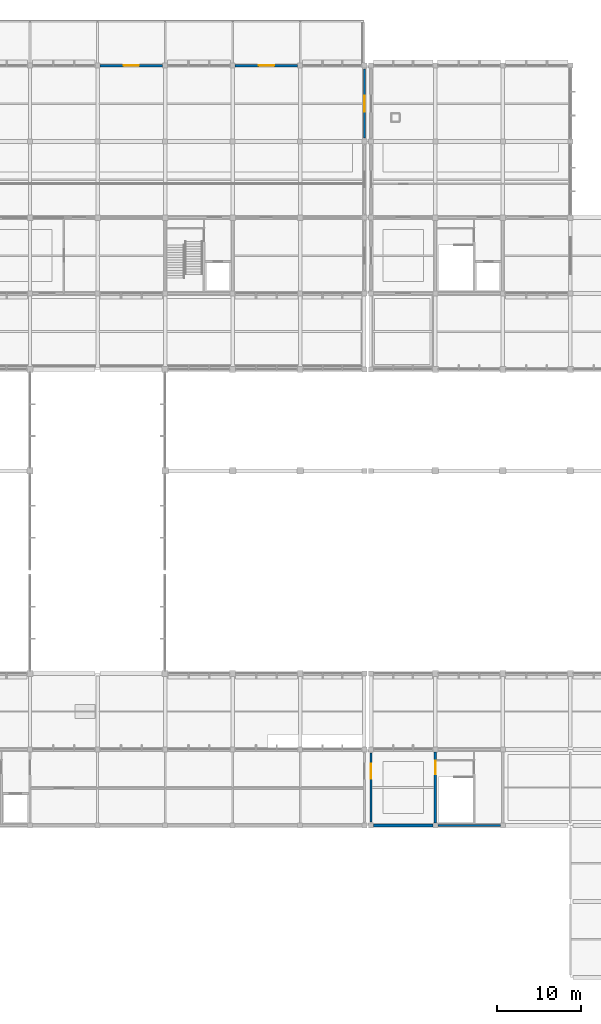
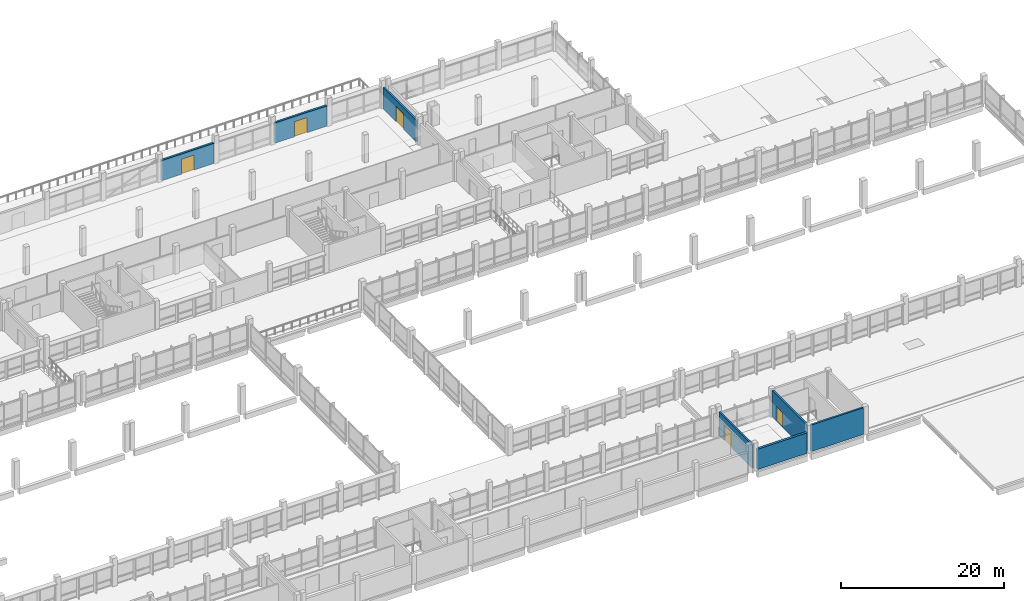
# One storey, part 61 of 70: 7 walls, 5 doors, 5 openings.
"""IFC4 building model written with IfcOpenShell, lengths in metres."""

from ifc_helpers import new_model, si_unit, direction, frame, frame_2d, origin, place, context, subcontext, project, spatial, rectangle, extrude, material, layer, layer_set, type_object, element, fill, save


model = new_model("IFC4")

# Units and contexts
model_context = context("Model", 3, precision=1e-05, world=origin(), true_north=direction((0.0, 1.0)))
body_context = subcontext(model_context, "Body", "Model", "MODEL_VIEW")
ifc_project = project(units=[si_unit("LENGTHUNIT", "METRE"), si_unit("AREAUNIT", "SQUARE_METRE"), si_unit("VOLUMEUNIT", "CUBIC_METRE"), si_unit("PLANEANGLEUNIT", "RADIAN"), si_unit("MASSUNIT", "GRAM", prefix="KILO"), si_unit("THERMODYNAMICTEMPERATUREUNIT", "KELVIN"), si_unit("POWERUNIT", "WATT")], contexts=[model_context])

# Site, building, storey
site_placement = place(None, origin())
site = spatial("IfcSite", under=ifc_project, at=site_placement, CompositionType="ELEMENT")
building_placement = place(site_placement, origin())
building = spatial("IfcBuilding", under=site, at=building_placement, Name="Kronsvod Quay Wholesale Market", CompositionType="ELEMENT")
storey_placement = place(building_placement, frame((0.0, 0.0, 9.0)))
storey = spatial("IfcBuildingStorey", under=building, at=storey_placement, Name="L02", CompositionType="ELEMENT", Elevation=9.0)

# Wall
ifc_material_1 = material(Name="Concrete C35/45", Category="concrete")
ifc_layer_1 = layer(ifc_material_1, 0.260009765625)
ifc_layer_set_1 = layer_set([ifc_layer_1], Name="Concrete C35/45")
wall_type_1 = type_object("IfcWallType", Name="Wall_CoreShear260", PredefinedType="SHEAR", material=ifc_layer_set_1)
wall_1_placement = place(storey_placement, frame((136.294921875, 36.0, 0.0), z_axis=(0.0, 0.0, 1.0), x_axis=(1.0, 0.0, 0.0)))
element("IfcWall", 1, at=wall_1_placement, inside=storey, type_object=wall_type_1, Name="CW-C05-L02-S", PredefinedType="SHEAR", context=body_context, shape_type="SweptSolid", body=[
    extrude(rectangle(XDim=7.41015625, YDim=0.260009765625, at=frame_2d((3.705078125, 0.0))), origin(), (0.0, 0.0, 1.0), 3.985107421875),
])

# Wall, opening, door
wall_2_placement = place(storey_placement, frame((136.0, 36.294921875, 0.0), z_axis=(0.0, 0.0, 1.0), x_axis=(0.0, 1.0, 0.0)))
wall_2 = element("IfcWall", 2, at=wall_2_placement, inside=storey, type_object=wall_type_1, Name="CW-C05-L02-W", PredefinedType="SHEAR", context=body_context, shape_type="SweptSolid", body=[
    extrude(rectangle(XDim=8.41015625, YDim=0.260009765625, at=frame_2d((4.205078125, 0.0))), origin(), (0.0, 0.0, 1.0), 3.985107421875),
])
opening_1_placement = place(wall_2_placement, frame((5.800048828125, 0.0, 0.0)))
opening_1 = element("IfcOpeningElement", 3, at=opening_1_placement, cuts=wall_2, Name="Opening D-0053", PredefinedType="OPENING", context=body_context, shape_type="SweptSolid", body=[
    extrude(rectangle(XDim=1.60009765625, YDim=2.199951171875, at=frame_2d((0.800048828125, 1.10009765625))), frame((0.0, 0.14013671875, 0.0), z_axis=(0.0, -1.0, 0.0), x_axis=(1.0, 0.0, 0.0)), (0.0, 0.0, 1.0), 0.280029296875),
])
ifc_material_2 = material(Name="Painted galvanized fire steel", Category="steel")
door_type_1 = type_object("IfcDoorType", Name="Door_FireLobby160x220", OperationType="DOUBLE_DOOR_SINGLE_SWING", PredefinedType="DOOR", material=ifc_material_2)
door_1_placement = place(opening_1_placement, origin())
door_1 = element("IfcDoor", 4, at=door_1_placement, inside=storey, type_object=door_type_1, Name="Core Lobby Door D-0053", OperationType="DOUBLE_DOOR_SINGLE_SWING", OverallHeight=2.199951171875, OverallWidth=1.60009765625, PredefinedType="DOOR", context=body_context, shape_type="SweptSolid", body=[
    extrude(rectangle(XDim=1.60009765625, YDim=2.199951171875, at=frame_2d((0.800048828125, 1.10009765625))), frame((0.0, 0.02490234375, 0.0), z_axis=(0.0, -1.0, 0.0), x_axis=(1.0, 0.0, 0.0)), (0.0, 0.0, 1.0), 0.050048828125),
])
fill(opening_1, door_1)

# Wall
ifc_material_3 = material(Name="Precast concrete C40/50", Category="concrete")
ifc_layer_2 = layer(ifc_material_3, 0.340087890625)
ifc_layer_set_2 = layer_set([ifc_layer_2], Name="Precast concrete C40/50")
wall_type_2 = type_object("IfcWallType", Name="Wall_ExtColdSandwich340", PredefinedType="SOLIDWALL", material=ifc_layer_set_2)
wall_3_placement = place(storey_placement, frame((128.695068359375, 36.0, 0.0), z_axis=(0.0, 0.0, 1.0), x_axis=(1.0, 0.0, 0.0)))
element("IfcWall", 5, at=wall_3_placement, inside=storey, type_object=wall_type_2, Name="EW-X-L02-0192", PredefinedType="SOLIDWALL", context=body_context, shape_type="SweptSolid", body=[
    extrude(rectangle(XDim=7.010009765625, YDim=0.340087890625, at=frame_2d((3.5048828125, 0.0))), origin(), (0.0, 0.0, 1.0), 3.050048828125),
])

# Wall, opening, door
ifc_material_4 = material(Name="Precast concrete C40/50", Category="concrete")
ifc_layer_3 = layer(ifc_material_4, 0.280029296875)
ifc_layer_set_3 = layer_set([ifc_layer_3], Name="Precast concrete C40/50")
wall_type_3 = type_object("IfcWallType", Name="Wall_ExtPrecast280", PredefinedType="SOLIDWALL", material=ifc_layer_set_3)
wall_4_placement = place(storey_placement, frame((103.705078125, 126.0, 0.0), z_axis=(0.0, 0.0, 1.0), x_axis=(-1.0, 0.0, 0.0)))
wall_4 = element("IfcWall", 6, at=wall_4_placement, inside=storey, type_object=wall_type_3, Name="EW-X-L02-0182", PredefinedType="SOLIDWALL", context=body_context, shape_type="SweptSolid", body=[
    extrude(rectangle(XDim=7.41015625, YDim=0.280029296875, at=frame_2d((3.705078125, 0.0))), origin(), (0.0, 0.0, 1.0), 3.050048828125),
])
opening_2_placement = place(wall_4_placement, frame((2.804931640625, 0.0, 0.0)))
opening_2 = element("IfcOpeningElement", 7, at=opening_2_placement, cuts=wall_4, Name="Opening ED-056", PredefinedType="OPENING", context=body_context, shape_type="SweptSolid", body=[
    extrude(rectangle(XDim=1.800048828125, YDim=2.25, at=frame_2d((0.89990234375, 1.125))), frame((0.0, 0.14990234375, 0.0), z_axis=(0.0, -1.0, 0.0), x_axis=(1.0, 0.0, 0.0)), (0.0, 0.0, 1.0), 0.300048828125),
])
ifc_material_5 = material(Name="Thermally broken aluminium and glass", Category="aluminium")
door_type_2 = type_object("IfcDoorType", Name="Door_GardenDouble180x225", OperationType="DOUBLE_DOOR_SINGLE_SWING", PredefinedType="DOOR", material=ifc_material_5)
door_2_placement = place(opening_2_placement, frame((1.800048828125, 0.0, 0.0), z_axis=(0.0, 0.0, 1.0), x_axis=(-1.0, 0.0, 0.0)))
door_2 = element("IfcDoor", 8, at=door_2_placement, inside=storey, type_object=door_type_2, Name="Harbour Balcony Door ED-056", OperationType="DOUBLE_DOOR_SINGLE_SWING", OverallHeight=2.25, OverallWidth=1.800048828125, PredefinedType="DOOR", context=body_context, shape_type="SweptSolid", body=[
    extrude(rectangle(XDim=1.800048828125, YDim=2.25, at=frame_2d((0.89990234375, 1.125))), frame((0.0, 0.02490234375, 0.0), z_axis=(0.0, -1.0, 0.0), x_axis=(1.0, 0.0, 0.0)), (0.0, 0.0, 1.0), 0.050048828125),
])
fill(opening_2, door_2)

wall_5_placement = place(storey_placement, frame((119.705078125, 126.0, 0.0), z_axis=(0.0, 0.0, 1.0), x_axis=(-1.0, 0.0, 0.0)))
wall_5 = element("IfcWall", 9, at=wall_5_placement, inside=storey, type_object=wall_type_3, Name="EW-X-L02-0183", PredefinedType="SOLIDWALL", context=body_context, shape_type="SweptSolid", body=[
    extrude(rectangle(XDim=7.41015625, YDim=0.280029296875, at=frame_2d((3.705078125, 0.0))), origin(), (0.0, 0.0, 1.0), 3.050048828125),
])
opening_3_placement = place(wall_5_placement, frame((2.804931640625, 0.0, 0.0)))
opening_3 = element("IfcOpeningElement", 10, at=opening_3_placement, cuts=wall_5, Name="Opening ED-057", PredefinedType="OPENING", context=body_context, shape_type="SweptSolid", body=[
    extrude(rectangle(XDim=1.800048828125, YDim=2.25, at=frame_2d((0.89990234375, 1.125))), frame((0.0, 0.14990234375, 0.0), z_axis=(0.0, -1.0, 0.0), x_axis=(1.0, 0.0, 0.0)), (0.0, 0.0, 1.0), 0.300048828125),
])
door_3_placement = place(opening_3_placement, frame((1.800048828125, 0.0, 0.0), z_axis=(0.0, 0.0, 1.0), x_axis=(-1.0, 0.0, 0.0)))
door_3 = element("IfcDoor", 11, at=door_3_placement, inside=storey, type_object=door_type_2, Name="Harbour Balcony Door ED-057", OperationType="DOUBLE_DOOR_SINGLE_SWING", OverallHeight=2.25, OverallWidth=1.800048828125, PredefinedType="DOOR", context=body_context, shape_type="SweptSolid", body=[
    extrude(rectangle(XDim=1.800048828125, YDim=2.25, at=frame_2d((0.89990234375, 1.125))), frame((0.0, 0.02490234375, 0.0), z_axis=(0.0, -1.0, 0.0), x_axis=(1.0, 0.0, 0.0)), (0.0, 0.0, 1.0), 0.050048828125),
])
fill(opening_3, door_3)

ifc_material_6 = material(Name="Precast concrete C40/50", Category="concrete")
ifc_layer_4 = layer(ifc_material_6, 0.239990234375)
ifc_layer_set_4 = layer_set([ifc_layer_4], Name="Precast concrete C40/50")
wall_type_4 = type_object("IfcWallType", Name="Wall_ExtSpandrel240", PredefinedType="SOLIDWALL", material=ifc_layer_set_4)
wall_6_placement = place(storey_placement, frame((127.60009765625, 117.419921875, 0.0), z_axis=(0.0, 0.0, 1.0), x_axis=(0.0, 1.0, 0.0)))
wall_6 = element("IfcWall", 12, at=wall_6_placement, inside=storey, type_object=wall_type_4, Name="MJWG-L02-1276-1170", PredefinedType="SOLIDWALL", context=body_context, shape_type="SweptSolid", body=[
    extrude(rectangle(XDim=8.16015625, YDim=0.239990234375, at=frame_2d((4.080078125, 0.0))), origin(), (0.0, 0.0, 1.0), 3.239990234375),
])
opening_4_placement = place(wall_6_placement, frame((3.1298828125, 0.0, 0.0)))
opening_4 = element("IfcOpeningElement", 13, at=opening_4_placement, cuts=wall_6, Name="Opening D-0385", PredefinedType="OPENING", context=body_context, shape_type="SweptSolid", body=[
    extrude(rectangle(XDim=1.89990234375, YDim=2.35009765625, at=frame_2d((0.949951171875, 1.175048828125))), frame((0.0, 0.1298828125, 0.0), z_axis=(0.0, -1.0, 0.0), x_axis=(1.0, 0.0, 0.0)), (0.0, 0.0, 1.0), 0.260009765625),
])
ifc_material_7 = material(Name="Painted galvanized fire steel", Category="steel")
door_type_3 = type_object("IfcDoorType", Name="Door_FireComp190x235", OperationType="DOUBLE_DOOR_SINGLE_SWING", PredefinedType="DOOR", material=ifc_material_7)
door_4_placement = place(opening_4_placement, origin())
door_4 = element("IfcDoor", 14, at=door_4_placement, inside=storey, type_object=door_type_3, Name="Fire Compartment Door D-0385", OperationType="DOUBLE_DOOR_SINGLE_SWING", OverallHeight=2.35009765625, OverallWidth=1.89990234375, PredefinedType="DOOR", context=body_context, shape_type="SweptSolid", body=[
    extrude(rectangle(XDim=1.89990234375, YDim=2.35009765625, at=frame_2d((0.949951171875, 1.175048828125))), frame((0.0, 0.02490234375, 0.0), z_axis=(0.0, -1.0, 0.0), x_axis=(1.0, 0.0, 0.0)), (0.0, 0.0, 1.0), 0.050048828125),
])
fill(opening_4, door_4)

wall_7_placement = place(storey_placement, frame((128.39990234375, 36.419921875, 0.0), z_axis=(0.0, 0.0, 1.0), x_axis=(0.0, 1.0, 0.0)))
wall_7 = element("IfcWall", 15, at=wall_7_placement, inside=storey, type_object=wall_type_4, Name="MJWG-L02-1284-360", PredefinedType="SOLIDWALL", context=body_context, shape_type="SweptSolid", body=[
    extrude(rectangle(XDim=8.16015625, YDim=0.239990234375, at=frame_2d((4.080078125, 0.0))), origin(), (0.0, 0.0, 1.0), 3.489990234375),
])
opening_5_placement = place(wall_7_placement, frame((5.10009765625, 0.0, 0.0)))
opening_5 = element("IfcOpeningElement", 16, at=opening_5_placement, cuts=wall_7, Name="Opening D-0386", PredefinedType="OPENING", context=body_context, shape_type="SweptSolid", body=[
    extrude(rectangle(XDim=1.800048828125, YDim=2.300048828125, at=frame_2d((0.89990234375, 1.14990234375))), frame((0.0, 0.1298828125, 0.0), z_axis=(0.0, -1.0, 0.0), x_axis=(1.0, 0.0, 0.0)), (0.0, 0.0, 1.0), 0.260009765625),
])
ifc_material_8 = material(Name="Painted galvanized fire steel", Category="steel")
door_type_4 = type_object("IfcDoorType", Name="Door_FireComp180x230", OperationType="DOUBLE_DOOR_SINGLE_SWING", PredefinedType="DOOR", material=ifc_material_8)
door_5_placement = place(opening_5_placement, origin())
door_5 = element("IfcDoor", 17, at=door_5_placement, inside=storey, type_object=door_type_4, Name="Fire Compartment Door D-0386", OperationType="DOUBLE_DOOR_SINGLE_SWING", OverallHeight=2.300048828125, OverallWidth=1.800048828125, PredefinedType="DOOR", context=body_context, shape_type="SweptSolid", body=[
    extrude(rectangle(XDim=1.800048828125, YDim=2.300048828125, at=frame_2d((0.89990234375, 1.14990234375))), frame((0.0, 0.02490234375, 0.0), z_axis=(0.0, -1.0, 0.0), x_axis=(1.0, 0.0, 0.0)), (0.0, 0.0, 1.0), 0.050048828125),
])
fill(opening_5, door_5)

save(model, "model.ifc")
